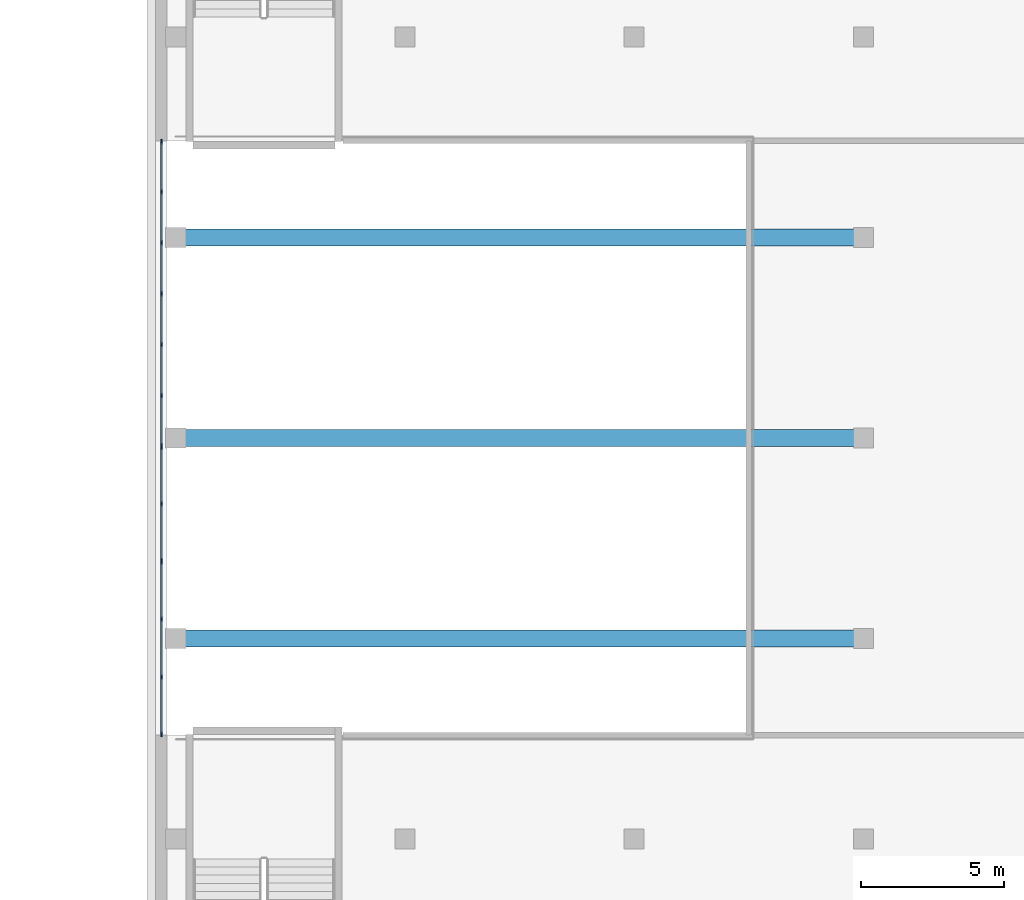
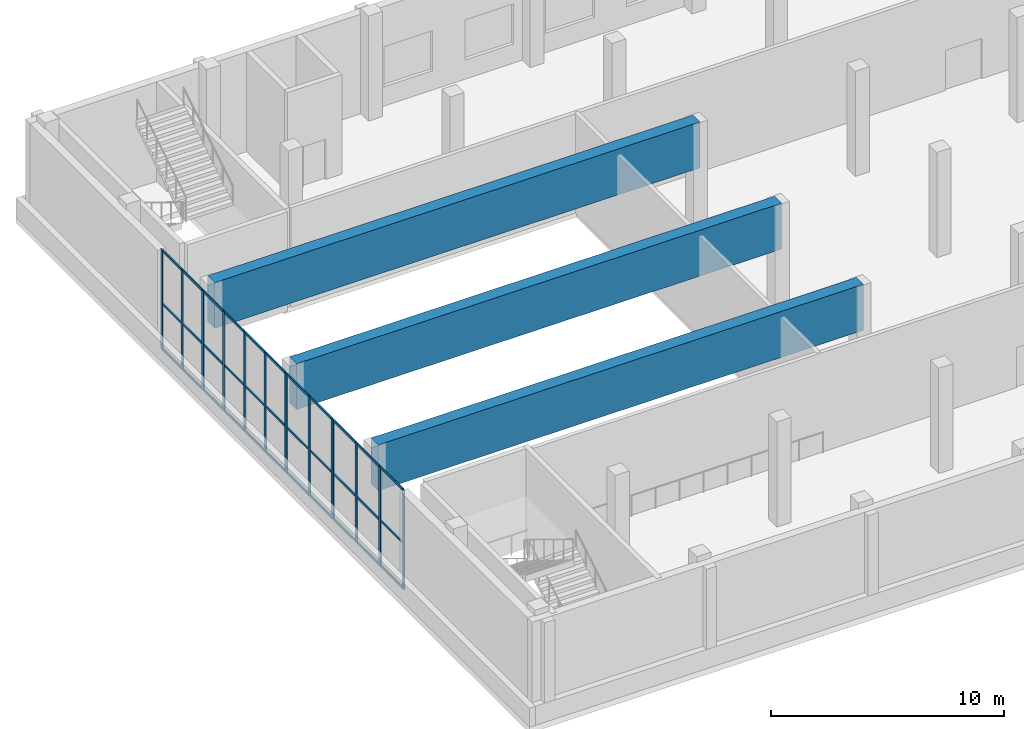
# One storey, part 3 of 35: 47 members, 3 beams, 3 elements without a shape of their own.
"""IFC4 building model written with IfcOpenShell, lengths in metres."""

from ifc_helpers import new_model, si_unit, direction, frame, origin, origin_2d, place, context, subcontext, project, spatial, rectangle, extrude, material, material_profile, profile_set, type_object, element, aggregate, save


model = new_model("IFC4")

# Units and contexts
model_context = context("Model", 3, precision=1e-05, world=origin(), true_north=direction((0.0, 1.0)))
body_context = subcontext(model_context, "Body", "Model", "MODEL_VIEW")
ifc_project = project(units=[si_unit("LENGTHUNIT", "METRE"), si_unit("AREAUNIT", "SQUARE_METRE"), si_unit("VOLUMEUNIT", "CUBIC_METRE"), si_unit("PLANEANGLEUNIT", "RADIAN"), si_unit("MASSUNIT", "GRAM", prefix="KILO")], contexts=[model_context])

# Site, building, storey
site_placement = place(None, origin())
site = spatial("IfcSite", under=ifc_project, at=site_placement, CompositionType="ELEMENT")
building_placement = place(site_placement, origin())
building = spatial("IfcBuilding", under=site, at=building_placement, Name="Tamorin Gate", CompositionType="ELEMENT")
storey_placement = place(building_placement, frame((0.0, 0.0, 8.0)))
storey = spatial("IfcBuildingStorey", under=building, at=storey_placement, Name="L01", CompositionType="ELEMENT", Elevation=8.0)

# Curtain wall, members
ifc_material_1 = material(Name="Aluminium and glass", Category="aluminium")
curtain_wall_type = type_object("IfcCurtainWallType", Name="Museum atrium curtain wall", PredefinedType="NOTDEFINED", material=ifc_material_1)
curtain_wall_1_placement = place(storey_placement, origin())
curtain_wall_1 = element("IfcCurtainWall", 1, at=curtain_wall_1_placement, inside=storey, type_object=curtain_wall_type, Name="Museum atrium glazing", PredefinedType="NOTDEFINED")
ifc_material_2 = material(Name="Aluminium", Category="aluminium")
ifc_material_profile_1 = material_profile(ifc_material_2, rectangle(XDim=0.06005859375, YDim=0.159912109375, at=origin_2d()), Name="RECT 60x160")
ifc_profile_set_1 = profile_set([ifc_material_profile_1], Name="Aluminium")
member_type_1 = type_object("IfcMemberType", Name="Museum mullion 60x160", PredefinedType="MULLION", material=ifc_profile_set_1)
member_1_placement = place(storey_placement, frame((145.199951171875, 66.360107421875, 0.0), z_axis=(0.0, 0.0, 1.0), x_axis=(-1.0, 0.0, 0.0)))
member_1 = element("IfcMember", 2, at=member_1_placement, type_object=member_type_1, Name="CWM3 mullion 1", PredefinedType="MULLION", context=body_context, shape_type="SweptSolid", body=[
    extrude(rectangle(XDim=0.06005859375, YDim=0.159912109375, at=origin_2d()), origin(), (0.0, 0.0, 1.0), 5.199951171875),
])
member_2_placement = place(storey_placement, frame((145.199951171875, 68.353271484375, 0.0), z_axis=(0.0, 0.0, 1.0), x_axis=(-1.0, 0.0, 0.0)))
member_2 = element("IfcMember", 3, at=member_2_placement, type_object=member_type_1, Name="CWM3 mullion 2", PredefinedType="MULLION", context=body_context, shape_type="SweptSolid", body=[
    extrude(rectangle(XDim=0.06005859375, YDim=0.159912109375, at=origin_2d()), origin(), (0.0, 0.0, 1.0), 5.199951171875),
])
member_3_placement = place(storey_placement, frame((145.199951171875, 70.376708984375, 0.0), z_axis=(0.0, 0.0, 1.0), x_axis=(-1.0, 0.0, 0.0)))
member_3 = element("IfcMember", 4, at=member_3_placement, type_object=member_type_1, Name="CWM3 mullion 3", PredefinedType="MULLION", context=body_context, shape_type="SweptSolid", body=[
    extrude(rectangle(XDim=0.06005859375, YDim=0.159912109375, at=origin_2d()), origin(), (0.0, 0.0, 1.0), 5.199951171875),
])
member_4_placement = place(storey_placement, frame((145.199951171875, 72.3701171875, 0.0), z_axis=(0.0, 0.0, 1.0), x_axis=(-1.0, 0.0, 0.0)))
member_4 = element("IfcMember", 5, at=member_4_placement, type_object=member_type_1, Name="CWM3 mullion 4", PredefinedType="MULLION", context=body_context, shape_type="SweptSolid", body=[
    extrude(rectangle(XDim=0.06005859375, YDim=0.159912109375, at=origin_2d()), origin(), (0.0, 0.0, 1.0), 5.199951171875),
])

curtain_wall_2_placement = place(storey_placement, origin())
curtain_wall_2 = element("IfcCurtainWall", 6, at=curtain_wall_2_placement, inside=storey, type_object=curtain_wall_type, Name="Museum atrium glazing", PredefinedType="NOTDEFINED")
member_5_placement = place(storey_placement, frame((145.199951171875, 72.429931640625, 0.0), z_axis=(0.0, 0.0, 1.0), x_axis=(-1.0, 0.0, 0.0)))
member_5 = element("IfcMember", 7, at=member_5_placement, type_object=member_type_1, Name="CWM4 mullion 1", PredefinedType="MULLION", context=body_context, shape_type="SweptSolid", body=[
    extrude(rectangle(XDim=0.06005859375, YDim=0.159912109375, at=origin_2d()), origin(), (0.0, 0.0, 1.0), 5.199951171875),
])
member_6_placement = place(storey_placement, frame((145.199951171875, 74.39990234375, 0.0), z_axis=(0.0, 0.0, 1.0), x_axis=(-1.0, 0.0, 0.0)))
member_6 = element("IfcMember", 8, at=member_6_placement, type_object=member_type_1, Name="CWM4 mullion 2", PredefinedType="MULLION", context=body_context, shape_type="SweptSolid", body=[
    extrude(rectangle(XDim=0.06005859375, YDim=0.159912109375, at=origin_2d()), origin(), (0.0, 0.0, 1.0), 5.199951171875),
])
member_7_placement = place(storey_placement, frame((145.199951171875, 76.3701171875, 0.0), z_axis=(0.0, 0.0, 1.0), x_axis=(-1.0, 0.0, 0.0)))
member_7 = element("IfcMember", 9, at=member_7_placement, type_object=member_type_1, Name="CWM4 mullion 3", PredefinedType="MULLION", context=body_context, shape_type="SweptSolid", body=[
    extrude(rectangle(XDim=0.06005859375, YDim=0.159912109375, at=origin_2d()), origin(), (0.0, 0.0, 1.0), 5.199951171875),
])

curtain_wall_3_placement = place(storey_placement, origin())
curtain_wall_3 = element("IfcCurtainWall", 10, at=curtain_wall_3_placement, inside=storey, type_object=curtain_wall_type, Name="Museum atrium glazing", PredefinedType="NOTDEFINED")
member_8_placement = place(storey_placement, frame((145.199951171875, 76.429931640625, 0.0), z_axis=(0.0, 0.0, 1.0), x_axis=(-1.0, 0.0, 0.0)))
member_8 = element("IfcMember", 11, at=member_8_placement, type_object=member_type_1, Name="CWM5 mullion 1", PredefinedType="MULLION", context=body_context, shape_type="SweptSolid", body=[
    extrude(rectangle(XDim=0.06005859375, YDim=0.159912109375, at=origin_2d()), origin(), (0.0, 0.0, 1.0), 5.199951171875),
])
member_9_placement = place(storey_placement, frame((145.199951171875, 78.17822265625, 0.0), z_axis=(0.0, 0.0, 1.0), x_axis=(-1.0, 0.0, 0.0)))
member_9 = element("IfcMember", 12, at=member_9_placement, type_object=member_type_1, Name="CWM5 mullion 2", PredefinedType="MULLION", context=body_context, shape_type="SweptSolid", body=[
    extrude(rectangle(XDim=0.06005859375, YDim=0.159912109375, at=origin_2d()), origin(), (0.0, 0.0, 1.0), 5.199951171875),
])
member_10_placement = place(storey_placement, frame((145.199951171875, 79.956787109375, 0.0), z_axis=(0.0, 0.0, 1.0), x_axis=(-1.0, 0.0, 0.0)))
member_10 = element("IfcMember", 13, at=member_10_placement, type_object=member_type_1, Name="CWM5 mullion 3", PredefinedType="MULLION", context=body_context, shape_type="SweptSolid", body=[
    extrude(rectangle(XDim=0.06005859375, YDim=0.159912109375, at=origin_2d()), origin(), (0.0, 0.0, 1.0), 5.199951171875),
])
member_11_placement = place(storey_placement, frame((145.199951171875, 81.735107421875, 0.0), z_axis=(0.0, 0.0, 1.0), x_axis=(-1.0, 0.0, 0.0)))
member_11 = element("IfcMember", 14, at=member_11_placement, type_object=member_type_1, Name="CWM5 mullion 4", PredefinedType="MULLION", context=body_context, shape_type="SweptSolid", body=[
    extrude(rectangle(XDim=0.06005859375, YDim=0.159912109375, at=origin_2d()), origin(), (0.0, 0.0, 1.0), 5.199951171875),
])
member_12_placement = place(storey_placement, frame((145.199951171875, 83.513427734375, 0.0), z_axis=(0.0, 0.0, 1.0), x_axis=(-1.0, 0.0, 0.0)))
member_12 = element("IfcMember", 15, at=member_12_placement, type_object=member_type_1, Name="CWM5 mullion 5", PredefinedType="MULLION", context=body_context, shape_type="SweptSolid", body=[
    extrude(rectangle(XDim=0.06005859375, YDim=0.159912109375, at=origin_2d()), origin(), (0.0, 0.0, 1.0), 5.199951171875),
])
member_13_placement = place(storey_placement, frame((145.199951171875, 85.291748046875, 0.0), z_axis=(0.0, 0.0, 1.0), x_axis=(-1.0, 0.0, 0.0)))
member_13 = element("IfcMember", 16, at=member_13_placement, type_object=member_type_1, Name="CWM5 mullion 6", PredefinedType="MULLION", context=body_context, shape_type="SweptSolid", body=[
    extrude(rectangle(XDim=0.06005859375, YDim=0.159912109375, at=origin_2d()), origin(), (0.0, 0.0, 1.0), 5.199951171875),
])
member_14_placement = place(storey_placement, frame((145.199951171875, 87.0400390625, 0.0), z_axis=(0.0, 0.0, 1.0), x_axis=(-1.0, 0.0, 0.0)))
member_14 = element("IfcMember", 17, at=member_14_placement, type_object=member_type_1, Name="CWM5 mullion 7", PredefinedType="MULLION", context=body_context, shape_type="SweptSolid", body=[
    extrude(rectangle(XDim=0.06005859375, YDim=0.159912109375, at=origin_2d()), origin(), (0.0, 0.0, 1.0), 5.199951171875),
])

# Member
ifc_material_profile_2 = material_profile(ifc_material_2, rectangle(XDim=0.06005859375, YDim=0.1201171875, at=origin_2d()), Name="RECT 60x120")
ifc_profile_set_2 = profile_set([ifc_material_profile_2], Name="Aluminium")
member_type_2 = type_object("IfcMemberType", Name="Museum transom 60x120", PredefinedType="USERDEFINED", material=ifc_profile_set_2)
member_15_placement = place(storey_placement, frame((145.199951171875, 66.389892578125, 0.030029296875), z_axis=(0.0, 1.0, 0.0), x_axis=(-1.0, 0.0, 0.0)))
member_15 = element("IfcMember", 18, at=member_15_placement, type_object=member_type_2, Name="CWM3 transom 1.1", ObjectType="TRANSOM", PredefinedType="USERDEFINED", context=body_context, shape_type="SweptSolid", body=[
    extrude(rectangle(XDim=0.06005859375, YDim=0.1201171875, at=origin_2d()), origin(), (0.0, 0.0, 1.0), 1.933349609375),
])

member_16_placement = place(storey_placement, frame((145.199951171875, 66.389892578125, 2.39990234375), z_axis=(0.0, 1.0, 0.0), x_axis=(-1.0, 0.0, 0.0)))
member_16 = element("IfcMember", 19, at=member_16_placement, type_object=member_type_2, Name="CWM3 transom 1.2", ObjectType="TRANSOM", PredefinedType="USERDEFINED", context=body_context, shape_type="SweptSolid", body=[
    extrude(rectangle(XDim=0.06005859375, YDim=0.1201171875, at=origin_2d()), origin(), (0.0, 0.0, 1.0), 1.933349609375),
])

member_17_placement = place(storey_placement, frame((145.199951171875, 66.389892578125, 5.169921875), z_axis=(0.0, 1.0, 0.0), x_axis=(-1.0, 0.0, 0.0)))
member_17 = element("IfcMember", 20, at=member_17_placement, type_object=member_type_2, Name="CWM3 transom 1.3", ObjectType="TRANSOM", PredefinedType="USERDEFINED", context=body_context, shape_type="SweptSolid", body=[
    extrude(rectangle(XDim=0.06005859375, YDim=0.1201171875, at=origin_2d()), origin(), (0.0, 0.0, 1.0), 1.933349609375),
])

member_18_placement = place(storey_placement, frame((145.199951171875, 68.38330078125, 0.030029296875), z_axis=(0.0, 1.0, 0.0), x_axis=(-1.0, 0.0, 0.0)))
member_18 = element("IfcMember", 21, at=member_18_placement, type_object=member_type_2, Name="CWM3 transom 2.1", ObjectType="TRANSOM", PredefinedType="USERDEFINED", context=body_context, shape_type="SweptSolid", body=[
    extrude(rectangle(XDim=0.06005859375, YDim=0.1201171875, at=origin_2d()), origin(), (0.0, 0.0, 1.0), 1.96337890625),
])

member_19_placement = place(storey_placement, frame((145.199951171875, 68.38330078125, 2.39990234375), z_axis=(0.0, 1.0, 0.0), x_axis=(-1.0, 0.0, 0.0)))
member_19 = element("IfcMember", 22, at=member_19_placement, type_object=member_type_2, Name="CWM3 transom 2.2", ObjectType="TRANSOM", PredefinedType="USERDEFINED", context=body_context, shape_type="SweptSolid", body=[
    extrude(rectangle(XDim=0.06005859375, YDim=0.1201171875, at=origin_2d()), origin(), (0.0, 0.0, 1.0), 1.96337890625),
])

member_20_placement = place(storey_placement, frame((145.199951171875, 68.38330078125, 5.169921875), z_axis=(0.0, 1.0, 0.0), x_axis=(-1.0, 0.0, 0.0)))
member_20 = element("IfcMember", 23, at=member_20_placement, type_object=member_type_2, Name="CWM3 transom 2.3", ObjectType="TRANSOM", PredefinedType="USERDEFINED", context=body_context, shape_type="SweptSolid", body=[
    extrude(rectangle(XDim=0.06005859375, YDim=0.1201171875, at=origin_2d()), origin(), (0.0, 0.0, 1.0), 1.96337890625),
])

member_21_placement = place(storey_placement, frame((145.199951171875, 70.40673828125, 0.030029296875), z_axis=(0.0, 1.0, 0.0), x_axis=(-1.0, 0.0, 0.0)))
member_21 = element("IfcMember", 24, at=member_21_placement, type_object=member_type_2, Name="CWM3 transom 3.1", ObjectType="TRANSOM", PredefinedType="USERDEFINED", context=body_context, shape_type="SweptSolid", body=[
    extrude(rectangle(XDim=0.06005859375, YDim=0.1201171875, at=origin_2d()), origin(), (0.0, 0.0, 1.0), 1.933349609375),
])

member_22_placement = place(storey_placement, frame((145.199951171875, 70.40673828125, 2.39990234375), z_axis=(0.0, 1.0, 0.0), x_axis=(-1.0, 0.0, 0.0)))
member_22 = element("IfcMember", 25, at=member_22_placement, type_object=member_type_2, Name="CWM3 transom 3.2", ObjectType="TRANSOM", PredefinedType="USERDEFINED", context=body_context, shape_type="SweptSolid", body=[
    extrude(rectangle(XDim=0.06005859375, YDim=0.1201171875, at=origin_2d()), origin(), (0.0, 0.0, 1.0), 1.933349609375),
])

member_23_placement = place(storey_placement, frame((145.199951171875, 70.40673828125, 5.169921875), z_axis=(0.0, 1.0, 0.0), x_axis=(-1.0, 0.0, 0.0)))
member_23 = element("IfcMember", 26, at=member_23_placement, type_object=member_type_2, Name="CWM3 transom 3.3", ObjectType="TRANSOM", PredefinedType="USERDEFINED", context=body_context, shape_type="SweptSolid", body=[
    extrude(rectangle(XDim=0.06005859375, YDim=0.1201171875, at=origin_2d()), origin(), (0.0, 0.0, 1.0), 1.933349609375),
])

aggregate(curtain_wall_1, [member_1, member_2, member_3, member_4, member_15, member_16, member_17, member_18, member_19, member_20, member_21, member_22, member_23])

member_24_placement = place(storey_placement, frame((145.199951171875, 72.4599609375, 0.030029296875), z_axis=(0.0, 1.0, 0.0), x_axis=(-1.0, 0.0, 0.0)))
member_24 = element("IfcMember", 27, at=member_24_placement, type_object=member_type_2, Name="CWM4 transom 1.1", ObjectType="TRANSOM", PredefinedType="USERDEFINED", context=body_context, shape_type="SweptSolid", body=[
    extrude(rectangle(XDim=0.06005859375, YDim=0.1201171875, at=origin_2d()), origin(), (0.0, 0.0, 1.0), 1.91015625),
])

member_25_placement = place(storey_placement, frame((145.199951171875, 72.4599609375, 2.39990234375), z_axis=(0.0, 1.0, 0.0), x_axis=(-1.0, 0.0, 0.0)))
member_25 = element("IfcMember", 28, at=member_25_placement, type_object=member_type_2, Name="CWM4 transom 1.2", ObjectType="TRANSOM", PredefinedType="USERDEFINED", context=body_context, shape_type="SweptSolid", body=[
    extrude(rectangle(XDim=0.06005859375, YDim=0.1201171875, at=origin_2d()), origin(), (0.0, 0.0, 1.0), 1.91015625),
])

member_26_placement = place(storey_placement, frame((145.199951171875, 72.4599609375, 5.169921875), z_axis=(0.0, 1.0, 0.0), x_axis=(-1.0, 0.0, 0.0)))
member_26 = element("IfcMember", 29, at=member_26_placement, type_object=member_type_2, Name="CWM4 transom 1.3", ObjectType="TRANSOM", PredefinedType="USERDEFINED", context=body_context, shape_type="SweptSolid", body=[
    extrude(rectangle(XDim=0.06005859375, YDim=0.1201171875, at=origin_2d()), origin(), (0.0, 0.0, 1.0), 1.91015625),
])

member_27_placement = place(storey_placement, frame((145.199951171875, 74.429931640625, 0.030029296875), z_axis=(0.0, 1.0, 0.0), x_axis=(-1.0, 0.0, 0.0)))
member_27 = element("IfcMember", 30, at=member_27_placement, type_object=member_type_2, Name="CWM4 transom 2.1", ObjectType="TRANSOM", PredefinedType="USERDEFINED", context=body_context, shape_type="SweptSolid", body=[
    extrude(rectangle(XDim=0.06005859375, YDim=0.1201171875, at=origin_2d()), origin(), (0.0, 0.0, 1.0), 1.91015625),
])

member_28_placement = place(storey_placement, frame((145.199951171875, 74.429931640625, 2.39990234375), z_axis=(0.0, 1.0, 0.0), x_axis=(-1.0, 0.0, 0.0)))
member_28 = element("IfcMember", 31, at=member_28_placement, type_object=member_type_2, Name="CWM4 transom 2.2", ObjectType="TRANSOM", PredefinedType="USERDEFINED", context=body_context, shape_type="SweptSolid", body=[
    extrude(rectangle(XDim=0.06005859375, YDim=0.1201171875, at=origin_2d()), origin(), (0.0, 0.0, 1.0), 1.91015625),
])

member_29_placement = place(storey_placement, frame((145.199951171875, 74.429931640625, 5.169921875), z_axis=(0.0, 1.0, 0.0), x_axis=(-1.0, 0.0, 0.0)))
member_29 = element("IfcMember", 32, at=member_29_placement, type_object=member_type_2, Name="CWM4 transom 2.3", ObjectType="TRANSOM", PredefinedType="USERDEFINED", context=body_context, shape_type="SweptSolid", body=[
    extrude(rectangle(XDim=0.06005859375, YDim=0.1201171875, at=origin_2d()), origin(), (0.0, 0.0, 1.0), 1.91015625),
])

aggregate(curtain_wall_2, [member_5, member_6, member_7, member_24, member_25, member_26, member_27, member_28, member_29])

member_30_placement = place(storey_placement, frame((145.199951171875, 76.4599609375, 0.030029296875), z_axis=(0.0, 1.0, 0.0), x_axis=(-1.0, 0.0, 0.0)))
member_30 = element("IfcMember", 33, at=member_30_placement, type_object=member_type_2, Name="CWM5 transom 1.1", ObjectType="TRANSOM", PredefinedType="USERDEFINED", context=body_context, shape_type="SweptSolid", body=[
    extrude(rectangle(XDim=0.06005859375, YDim=0.1201171875, at=origin_2d()), origin(), (0.0, 0.0, 1.0), 1.6884765625),
])

member_31_placement = place(storey_placement, frame((145.199951171875, 76.4599609375, 2.39990234375), z_axis=(0.0, 1.0, 0.0), x_axis=(-1.0, 0.0, 0.0)))
member_31 = element("IfcMember", 34, at=member_31_placement, type_object=member_type_2, Name="CWM5 transom 1.2", ObjectType="TRANSOM", PredefinedType="USERDEFINED", context=body_context, shape_type="SweptSolid", body=[
    extrude(rectangle(XDim=0.06005859375, YDim=0.1201171875, at=origin_2d()), origin(), (0.0, 0.0, 1.0), 1.6884765625),
])

member_32_placement = place(storey_placement, frame((145.199951171875, 76.4599609375, 5.169921875), z_axis=(0.0, 1.0, 0.0), x_axis=(-1.0, 0.0, 0.0)))
member_32 = element("IfcMember", 35, at=member_32_placement, type_object=member_type_2, Name="CWM5 transom 1.3", ObjectType="TRANSOM", PredefinedType="USERDEFINED", context=body_context, shape_type="SweptSolid", body=[
    extrude(rectangle(XDim=0.06005859375, YDim=0.1201171875, at=origin_2d()), origin(), (0.0, 0.0, 1.0), 1.6884765625),
])

member_33_placement = place(storey_placement, frame((145.199951171875, 78.208251953125, 0.030029296875), z_axis=(0.0, 1.0, 0.0), x_axis=(-1.0, 0.0, 0.0)))
member_33 = element("IfcMember", 36, at=member_33_placement, type_object=member_type_2, Name="CWM5 transom 2.1", ObjectType="TRANSOM", PredefinedType="USERDEFINED", context=body_context, shape_type="SweptSolid", body=[
    extrude(rectangle(XDim=0.06005859375, YDim=0.1201171875, at=origin_2d()), origin(), (0.0, 0.0, 1.0), 1.718505859375),
])

member_34_placement = place(storey_placement, frame((145.199951171875, 78.208251953125, 2.39990234375), z_axis=(0.0, 1.0, 0.0), x_axis=(-1.0, 0.0, 0.0)))
member_34 = element("IfcMember", 37, at=member_34_placement, type_object=member_type_2, Name="CWM5 transom 2.2", ObjectType="TRANSOM", PredefinedType="USERDEFINED", context=body_context, shape_type="SweptSolid", body=[
    extrude(rectangle(XDim=0.06005859375, YDim=0.1201171875, at=origin_2d()), origin(), (0.0, 0.0, 1.0), 1.718505859375),
])

member_35_placement = place(storey_placement, frame((145.199951171875, 78.208251953125, 5.169921875), z_axis=(0.0, 1.0, 0.0), x_axis=(-1.0, 0.0, 0.0)))
member_35 = element("IfcMember", 38, at=member_35_placement, type_object=member_type_2, Name="CWM5 transom 2.3", ObjectType="TRANSOM", PredefinedType="USERDEFINED", context=body_context, shape_type="SweptSolid", body=[
    extrude(rectangle(XDim=0.06005859375, YDim=0.1201171875, at=origin_2d()), origin(), (0.0, 0.0, 1.0), 1.718505859375),
])

member_36_placement = place(storey_placement, frame((145.199951171875, 79.986572265625, 0.030029296875), z_axis=(0.0, 1.0, 0.0), x_axis=(-1.0, 0.0, 0.0)))
member_36 = element("IfcMember", 39, at=member_36_placement, type_object=member_type_2, Name="CWM5 transom 3.1", ObjectType="TRANSOM", PredefinedType="USERDEFINED", context=body_context, shape_type="SweptSolid", body=[
    extrude(rectangle(XDim=0.06005859375, YDim=0.1201171875, at=origin_2d()), origin(), (0.0, 0.0, 1.0), 1.718505859375),
])

member_37_placement = place(storey_placement, frame((145.199951171875, 79.986572265625, 2.39990234375), z_axis=(0.0, 1.0, 0.0), x_axis=(-1.0, 0.0, 0.0)))
member_37 = element("IfcMember", 40, at=member_37_placement, type_object=member_type_2, Name="CWM5 transom 3.2", ObjectType="TRANSOM", PredefinedType="USERDEFINED", context=body_context, shape_type="SweptSolid", body=[
    extrude(rectangle(XDim=0.06005859375, YDim=0.1201171875, at=origin_2d()), origin(), (0.0, 0.0, 1.0), 1.718505859375),
])

member_38_placement = place(storey_placement, frame((145.199951171875, 79.986572265625, 5.169921875), z_axis=(0.0, 1.0, 0.0), x_axis=(-1.0, 0.0, 0.0)))
member_38 = element("IfcMember", 41, at=member_38_placement, type_object=member_type_2, Name="CWM5 transom 3.3", ObjectType="TRANSOM", PredefinedType="USERDEFINED", context=body_context, shape_type="SweptSolid", body=[
    extrude(rectangle(XDim=0.06005859375, YDim=0.1201171875, at=origin_2d()), origin(), (0.0, 0.0, 1.0), 1.718505859375),
])

member_39_placement = place(storey_placement, frame((145.199951171875, 81.764892578125, 0.030029296875), z_axis=(0.0, 1.0, 0.0), x_axis=(-1.0, 0.0, 0.0)))
member_39 = element("IfcMember", 42, at=member_39_placement, type_object=member_type_2, Name="CWM5 transom 4.1", ObjectType="TRANSOM", PredefinedType="USERDEFINED", context=body_context, shape_type="SweptSolid", body=[
    extrude(rectangle(XDim=0.06005859375, YDim=0.1201171875, at=origin_2d()), origin(), (0.0, 0.0, 1.0), 1.718505859375),
])

member_40_placement = place(storey_placement, frame((145.199951171875, 81.764892578125, 2.39990234375), z_axis=(0.0, 1.0, 0.0), x_axis=(-1.0, 0.0, 0.0)))
member_40 = element("IfcMember", 43, at=member_40_placement, type_object=member_type_2, Name="CWM5 transom 4.2", ObjectType="TRANSOM", PredefinedType="USERDEFINED", context=body_context, shape_type="SweptSolid", body=[
    extrude(rectangle(XDim=0.06005859375, YDim=0.1201171875, at=origin_2d()), origin(), (0.0, 0.0, 1.0), 1.718505859375),
])

member_41_placement = place(storey_placement, frame((145.199951171875, 81.764892578125, 5.169921875), z_axis=(0.0, 1.0, 0.0), x_axis=(-1.0, 0.0, 0.0)))
member_41 = element("IfcMember", 44, at=member_41_placement, type_object=member_type_2, Name="CWM5 transom 4.3", ObjectType="TRANSOM", PredefinedType="USERDEFINED", context=body_context, shape_type="SweptSolid", body=[
    extrude(rectangle(XDim=0.06005859375, YDim=0.1201171875, at=origin_2d()), origin(), (0.0, 0.0, 1.0), 1.718505859375),
])

member_42_placement = place(storey_placement, frame((145.199951171875, 83.543212890625, 0.030029296875), z_axis=(0.0, 1.0, 0.0), x_axis=(-1.0, 0.0, 0.0)))
member_42 = element("IfcMember", 45, at=member_42_placement, type_object=member_type_2, Name="CWM5 transom 5.1", ObjectType="TRANSOM", PredefinedType="USERDEFINED", context=body_context, shape_type="SweptSolid", body=[
    extrude(rectangle(XDim=0.06005859375, YDim=0.1201171875, at=origin_2d()), origin(), (0.0, 0.0, 1.0), 1.718505859375),
])

member_43_placement = place(storey_placement, frame((145.199951171875, 83.543212890625, 2.39990234375), z_axis=(0.0, 1.0, 0.0), x_axis=(-1.0, 0.0, 0.0)))
member_43 = element("IfcMember", 46, at=member_43_placement, type_object=member_type_2, Name="CWM5 transom 5.2", ObjectType="TRANSOM", PredefinedType="USERDEFINED", context=body_context, shape_type="SweptSolid", body=[
    extrude(rectangle(XDim=0.06005859375, YDim=0.1201171875, at=origin_2d()), origin(), (0.0, 0.0, 1.0), 1.718505859375),
])

member_44_placement = place(storey_placement, frame((145.199951171875, 83.543212890625, 5.169921875), z_axis=(0.0, 1.0, 0.0), x_axis=(-1.0, 0.0, 0.0)))
member_44 = element("IfcMember", 47, at=member_44_placement, type_object=member_type_2, Name="CWM5 transom 5.3", ObjectType="TRANSOM", PredefinedType="USERDEFINED", context=body_context, shape_type="SweptSolid", body=[
    extrude(rectangle(XDim=0.06005859375, YDim=0.1201171875, at=origin_2d()), origin(), (0.0, 0.0, 1.0), 1.718505859375),
])

member_45_placement = place(storey_placement, frame((145.199951171875, 85.32177734375, 0.030029296875), z_axis=(0.0, 1.0, 0.0), x_axis=(-1.0, 0.0, 0.0)))
member_45 = element("IfcMember", 48, at=member_45_placement, type_object=member_type_2, Name="CWM5 transom 6.1", ObjectType="TRANSOM", PredefinedType="USERDEFINED", context=body_context, shape_type="SweptSolid", body=[
    extrude(rectangle(XDim=0.06005859375, YDim=0.1201171875, at=origin_2d()), origin(), (0.0, 0.0, 1.0), 1.688232421875),
])

member_46_placement = place(storey_placement, frame((145.199951171875, 85.32177734375, 2.39990234375), z_axis=(0.0, 1.0, 0.0), x_axis=(-1.0, 0.0, 0.0)))
member_46 = element("IfcMember", 49, at=member_46_placement, type_object=member_type_2, Name="CWM5 transom 6.2", ObjectType="TRANSOM", PredefinedType="USERDEFINED", context=body_context, shape_type="SweptSolid", body=[
    extrude(rectangle(XDim=0.06005859375, YDim=0.1201171875, at=origin_2d()), origin(), (0.0, 0.0, 1.0), 1.688232421875),
])

member_47_placement = place(storey_placement, frame((145.199951171875, 85.32177734375, 5.169921875), z_axis=(0.0, 1.0, 0.0), x_axis=(-1.0, 0.0, 0.0)))
member_47 = element("IfcMember", 50, at=member_47_placement, type_object=member_type_2, Name="CWM5 transom 6.3", ObjectType="TRANSOM", PredefinedType="USERDEFINED", context=body_context, shape_type="SweptSolid", body=[
    extrude(rectangle(XDim=0.06005859375, YDim=0.1201171875, at=origin_2d()), origin(), (0.0, 0.0, 1.0), 1.688232421875),
])

aggregate(curtain_wall_3, [member_8, member_9, member_10, member_11, member_12, member_13, member_14, member_30, member_31, member_32, member_33, member_34, member_35, member_36, member_37, member_38, member_39, member_40, member_41, member_42, member_43, member_44, member_45, member_46, member_47])

# Beams
ifc_material_3 = material(Name="Concrete C60/75", Category="concrete")
ifc_material_profile_3 = material_profile(ifc_material_3, rectangle(XDim=0.60009765625, YDim=2.39990234375, at=origin_2d()))
ifc_profile_set_3 = profile_set([ifc_material_profile_3], Name="Concrete C60/75")
beam_type = type_object("IfcBeamType", Name="RC long-span girder 600x2400 C60/75", PredefinedType="BEAM", material=ifc_profile_set_3)
for number, where, z_axis, x_axis, name in (
    (51, (145.699951171875, 69.699951171875, 4.300048828125), (1.0, 0.0, 0.0), (0.0, 1.0, 0.0), "Hall girder"),
    (52, (145.699951171875, 76.699951171875, 4.300048828125), (1.0, 0.0, 0.0), (0.0, 1.0, 0.0), "Hall girder"),
    (53, (145.699951171875, 83.699951171875, 4.300048828125), (1.0, 0.0, 0.0), (0.0, 1.0, 0.0), "Hall girder"),
):
    element("IfcBeam", number, at=place(storey_placement, frame(where, z_axis=z_axis, x_axis=x_axis)), inside=storey, type_object=beam_type, Name=name, PredefinedType="BEAM", context=body_context, shape_type="SweptSolid", body=[
        extrude(rectangle(XDim=0.60009765625, YDim=2.39990234375, at=origin_2d()), origin(), (0.0, 0.0, 1.0), 24.0),
    ])

save(model, "model.ifc")
